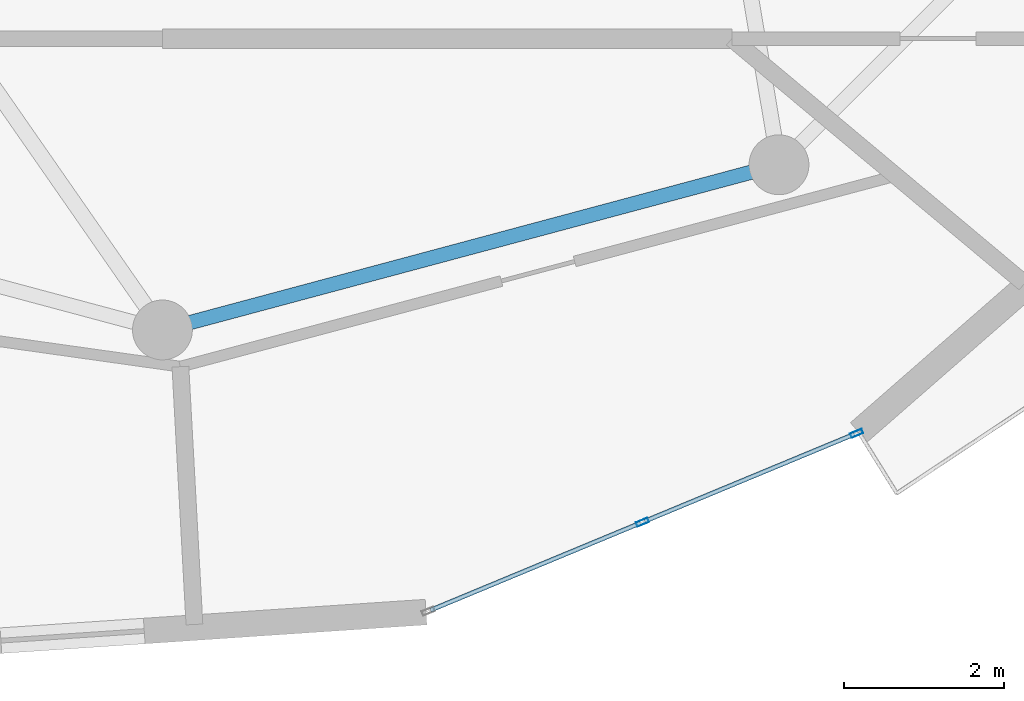
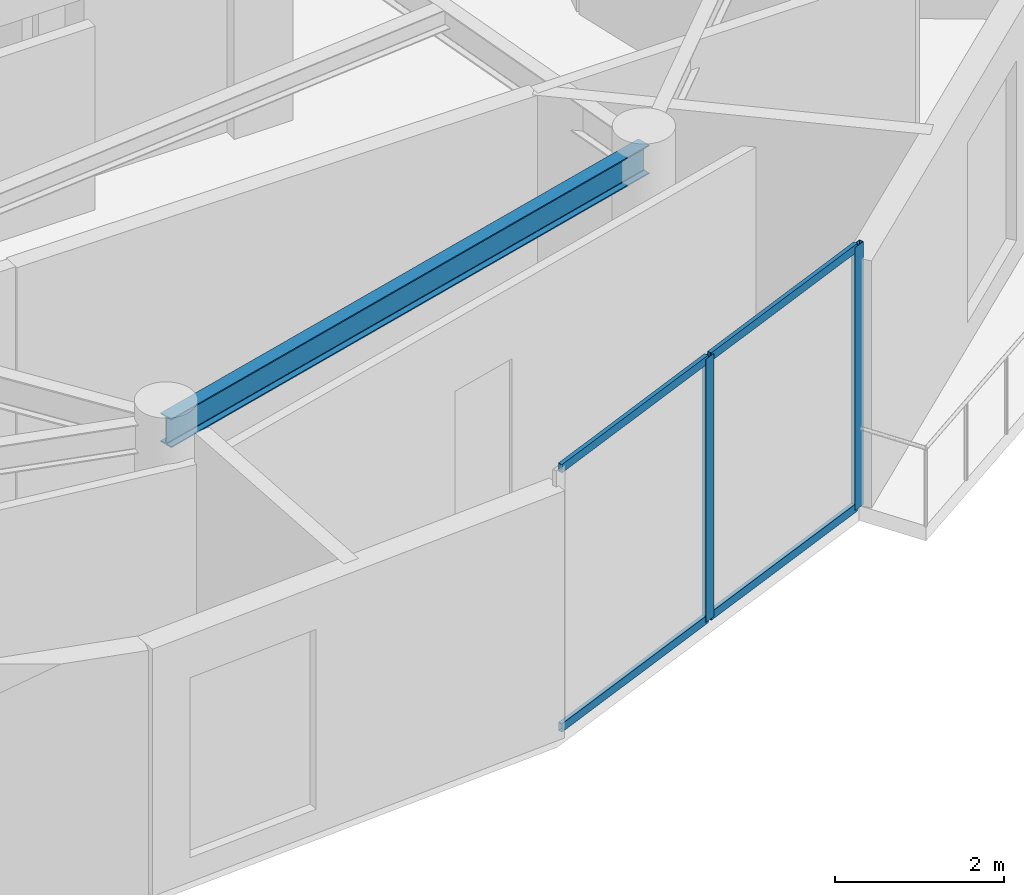
# One storey, part 6 of 22: 6 members, 1 beam, 1 element without a shape of its own.
"""IFC4 building model written with IfcOpenShell, lengths in metres."""

import ifcopenshell
import ifcopenshell.guid

model = None  # the IFC model being written
_history = None  # IfcOwnerHistory: only IFC2X3 demands one
_inside = {}  # id of a spatial element -> (the spatial element, [elements in it])
_under = {}  # id of a project, library or spatial element -> (it, [spatial elements below it])
_declared = {}  # id of a project -> (the project, [libraries it declares])
_typed = {}  # id of a type object -> (the type object, [elements of that type])
_made_of = {}  # id of a material, layer set ... -> (it, [elements and type objects made of it])


def new_model(schema):
    """Start an empty IFC model of exactly this schema.

    Asked for "IFC4X3", IfcOpenShell would pick the latest addendum, in which some entities
    have other attributes; the version numbers below select the first issue.
    IFC2X3 requires an IfcOwnerHistory on every rooted entity: one is made here for all.
    """
    global model, _history
    if schema == "IFC4X3":
        model = ifcopenshell.file(schema_version=(4, 3, 0, 0))
    else:
        model = ifcopenshell.file(schema=schema)
    _inside.clear()
    _under.clear()
    _declared.clear()
    _typed.clear()
    _made_of.clear()
    _history = None
    if model.schema == "IFC2X3":
        org = make("IfcOrganization", Name="unknown")
        user = make(
            "IfcPersonAndOrganization",
            ThePerson=make("IfcPerson", FamilyName="unknown"),
            TheOrganization=org,
        )
        app = make(
            "IfcApplication",
            ApplicationDeveloper=org,
            Version="unknown",
            ApplicationFullName="unknown",
            ApplicationIdentifier="unknown",
        )
        _history = make(
            "IfcOwnerHistory",
            OwningUser=user,
            OwningApplication=app,
            ChangeAction="ADDED",
            CreationDate=0,
        )
    return model


def make(cls, **values):
    """One entity of the class cls with the attributes given. An attribute that is None is left unset."""
    return model.create_entity(
        cls, **{name: value for name, value in values.items() if value is not None}
    )


def rooted(cls, **values):
    """An entity with a GlobalId (a new one), such as an element, a storey or a relation."""
    return make(cls, GlobalId=ifcopenshell.guid.new(), OwnerHistory=_history, **values)


def si_unit(unit_type, name, prefix=None):
    """IfcSIUnit, for example si_unit("LENGTHUNIT", "METRE", prefix="MILLI")."""
    return make("IfcSIUnit", UnitType=unit_type, Prefix=prefix, Name=name)


def assignment(units):
    """IfcUnitAssignment: the units of a project."""
    return None if units is None else make("IfcUnitAssignment", Units=units)


def point(xyz):
    """IfcCartesianPoint."""
    return None if xyz is None else make("IfcCartesianPoint", Coordinates=xyz)


def direction(xyz):
    """IfcDirection."""
    return None if xyz is None else make("IfcDirection", DirectionRatios=xyz)


def frame(location, z_axis=None, x_axis=None):
    """IfcAxis2Placement3D, a coordinate frame: its origin and axes. An axis left out is left unset."""
    return make(
        "IfcAxis2Placement3D",
        Location=point(location),
        Axis=direction(z_axis),
        RefDirection=direction(x_axis),
    )


def frame_2d(location, x_axis=None):
    """IfcAxis2Placement2D, a coordinate frame in the plane: its origin and x axis."""
    return make(
        "IfcAxis2Placement2D", Location=point(location), RefDirection=direction(x_axis)
    )


def origin():
    """The frame at (0, 0, 0) with its axes left unset."""
    return frame((0.0, 0.0, 0.0))


def origin_2d():
    """The frame at (0, 0) in the plane with its x axis left unset."""
    return frame_2d((0.0, 0.0))


def place(relative_to, where):
    """IfcLocalPlacement: puts the frame where relative to a parent placement (None: the world)."""
    return make(
        "IfcLocalPlacement", PlacementRelTo=relative_to, RelativePlacement=where
    )


def context(
    kind, dimensions, precision=None, world=None, true_north=None, identifier=None
):
    """IfcGeometricRepresentationContext, for example the 3D "Model" context."""
    return make(
        "IfcGeometricRepresentationContext",
        ContextIdentifier=identifier,
        ContextType=kind,
        CoordinateSpaceDimension=dimensions,
        Precision=precision,
        WorldCoordinateSystem=world,
        TrueNorth=true_north,
    )


def subcontext(parent, identifier, kind, view, scale=None):
    """IfcGeometricRepresentationSubContext, for example "Body" below "Model"."""
    return make(
        "IfcGeometricRepresentationSubContext",
        ContextIdentifier=identifier,
        ContextType=kind,
        ParentContext=parent,
        TargetScale=scale,
        TargetView=view,
    )


def project(units=None, contexts=None):
    """IfcProject with its units and contexts."""
    return rooted(
        "IfcProject",
        Name="project",
        RepresentationContexts=contexts,
        UnitsInContext=assignment(units),
    )


def spatial(cls, under=None, at=None, **own):
    """A site, building, storey or space (cls), placed at a placement, below another one or the project."""
    s = rooted(cls, ObjectPlacement=at, **own)
    if under is not None:
        _under.setdefault(under.id(), (under, []))[1].append(s)
    return s


def profile(cls, at=None, kind="AREA", **sizes):
    """A parametric profile (cls). Its sizes go by their IFC names, for example OverallWidth=200.0."""
    return make(cls, ProfileType=kind, Position=at, **sizes)


def hollow_rectangle(**sizes):
    """IfcRectangleHollowProfileDef."""
    return profile("IfcRectangleHollowProfileDef", **sizes)


def i_section(**sizes):
    """IfcIShapeProfileDef."""
    return profile("IfcIShapeProfileDef", **sizes)


def extrude(swept, where, along, depth):
    """IfcExtrudedAreaSolid: the profile swept, set in the frame where, extruded along a direction by depth."""
    return make(
        "IfcExtrudedAreaSolid",
        SweptArea=swept,
        Position=where,
        ExtrudedDirection=direction(along),
        Depth=depth,
    )


def shape(context_of_items, identifier, shape_type, items):
    """IfcShapeRepresentation: the items that make up one representation, for example the "Body"."""
    return make(
        "IfcShapeRepresentation",
        ContextOfItems=context_of_items,
        RepresentationIdentifier=identifier,
        RepresentationType=shape_type,
        Items=items,
    )


def source(mapping_origin, context_of_items, identifier, shape_type, items):
    """IfcRepresentationMap: a shape defined once, which mapped items show again and again."""
    return make(
        "IfcRepresentationMap",
        MappingOrigin=mapping_origin,
        MappedRepresentation=shape(context_of_items, identifier, shape_type, items),
    )


def transform(
    local_origin,
    x_axis=None,
    y_axis=None,
    z_axis=None,
    scale=None,
    scale2=None,
    scale3=None,
    uniform=True,
):
    """IfcCartesianTransformationOperator3D, or its non-uniform kind. x_axis, y_axis, z_axis: its Axis1, 2, 3."""
    if uniform:
        return make(
            "IfcCartesianTransformationOperator3D",
            Axis1=direction(x_axis),
            Axis2=direction(y_axis),
            LocalOrigin=point(local_origin),
            Scale=scale,
            Axis3=direction(z_axis),
        )
    return make(
        "IfcCartesianTransformationOperator3DnonUniform",
        Axis1=direction(x_axis),
        Axis2=direction(y_axis),
        LocalOrigin=point(local_origin),
        Scale=scale,
        Axis3=direction(z_axis),
        Scale2=scale2,
        Scale3=scale3,
    )


def mapped(mapping_source, mapping_target):
    """IfcMappedItem: shows the shape of a source again, moved by a transform."""
    return make(
        "IfcMappedItem", MappingSource=mapping_source, MappingTarget=mapping_target
    )


def material(Name=None, Category=None):
    """IfcMaterial."""
    return make("IfcMaterial", Name=Name, Category=Category)


def layer(
    of_material, thickness, ventilated=None, Name=None, Category=None, Priority=None
):
    """IfcMaterialLayer: one layer of a wall or slab, of a material (None: an air gap)."""
    return make(
        "IfcMaterialLayer",
        Material=of_material,
        LayerThickness=thickness,
        IsVentilated=ventilated,
        Name=Name,
        Category=Category,
        Priority=Priority,
    )


def layer_set(layers, Name=None):
    """IfcMaterialLayerSet."""
    return make("IfcMaterialLayerSet", MaterialLayers=layers, LayerSetName=Name)


def material_profile(
    of_material, cross_section, Name=None, Category=None, Priority=None
):
    """IfcMaterialProfile: a cross section and its material."""
    return make(
        "IfcMaterialProfile",
        Name=Name,
        Material=of_material,
        Profile=cross_section,
        Priority=Priority,
        Category=Category,
    )


def profile_set(profiles, Name=None, composite=None):
    """IfcMaterialProfileSet."""
    return make(
        "IfcMaterialProfileSet",
        Name=Name,
        MaterialProfiles=profiles,
        CompositeProfile=composite,
    )


def made_of(thing, what):
    """Note that an element or type object is made of a material, layer set ...; save() writes the relation."""
    if what is not None:
        _made_of.setdefault(what.id(), (what, []))[1].append(thing)
    return thing


def type_object(cls, material=None, **own):
    """A type object (cls), such as IfcWallType, which elements share."""
    return made_of(rooted(cls, **own), material)


def element(
    cls,
    number,
    at=None,
    inside=None,
    cuts=None,
    type_object=None,
    material=None,
    context=None,
    identifier="Body",
    shape_type=None,
    held_by="IfcProductDefinitionShape",
    body=None,
    shapes=None,
    **own,
):
    """One element of the class cls, such as IfcWall. Its Tag is "e" and its number.

    at: its placement. inside: the storey or other place that contains it. cuts: it is an
    opening in that element (IfcRelVoidsElement). A single representation is given by context,
    identifier, shape_type and body (its items); several are given by shapes. held_by: the class
    of the entity that holds the representations. save() writes the other relations.
    """
    e = rooted(cls, Tag="e%d" % number, ObjectPlacement=at, **own)
    if body is not None:
        shapes = [shape(context, identifier, shape_type, body)]
    if shapes is not None:
        e.Representation = make(held_by, Representations=shapes)
    if inside is not None:
        _inside.setdefault(inside.id(), (inside, []))[1].append(e)
    if cuts is not None:
        rooted(
            "IfcRelVoidsElement", RelatingBuildingElement=cuts, RelatedOpeningElement=e
        )
    if type_object is not None:
        _typed.setdefault(type_object.id(), (type_object, []))[1].append(e)
    return made_of(e, material)


def aggregate(whole, parts):
    """IfcRelAggregates: a whole, such as a stair, and the parts it consists of."""
    return rooted("IfcRelAggregates", RelatingObject=whole, RelatedObjects=parts)


def save(model, path):
    """Write the relations noted so far, then the file.

    IfcRelAggregates (storeys below a building ...), IfcRelContainedInSpatialStructure (elements
    in a storey), IfcRelDefinesByType, IfcRelAssociatesMaterial and IfcRelDeclares: one each for
    every whole, place, type object, material and project.
    """
    for whole, parts in _under.values():
        aggregate(whole, parts)
    for where, things in _inside.values():
        rooted(
            "IfcRelContainedInSpatialStructure",
            RelatedElements=things,
            RelatingStructure=where,
        )
    for kind, things in _typed.values():
        rooted("IfcRelDefinesByType", RelatedObjects=things, RelatingType=kind)
    for what, things in _made_of.values():
        rooted("IfcRelAssociatesMaterial", RelatedObjects=things, RelatingMaterial=what)
    for by, libraries in _declared.values():
        rooted("IfcRelDeclares", RelatingContext=by, RelatedDefinitions=libraries)
    model.write(path)


model = new_model("IFC4")

# Units and contexts
model_context = context("Model", 3, precision=1e-05, world=origin(), true_north=direction((0.0, 1.0)))
body_context = subcontext(model_context, "Body", "Model", "MODEL_VIEW")
ifc_project = project(units=[si_unit("LENGTHUNIT", "METRE"), si_unit("AREAUNIT", "SQUARE_METRE"), si_unit("VOLUMEUNIT", "CUBIC_METRE"), si_unit("PLANEANGLEUNIT", "RADIAN"), si_unit("MASSUNIT", "GRAM", prefix="KILO")], contexts=[model_context])

# Site, building, storey
site_placement = place(None, origin())
site = spatial("IfcSite", under=ifc_project, at=site_placement, CompositionType="ELEMENT")
building_placement = place(site_placement, origin())
building = spatial("IfcBuilding", under=site, at=building_placement, Name="Solvirekh Grand Hotel", CompositionType="ELEMENT")
storey_placement = place(building_placement, frame((0.0, 0.0, 243.0)))
storey = spatial("IfcBuildingStorey", under=building, at=storey_placement, Name="L63", CompositionType="ELEMENT", Elevation=243.0)

# Beam
ifc_material_1 = material(Name="Steel S355", Category="steel")
ifc_material_profile_1 = material_profile(ifc_material_1, i_section(OverallWidth=0.180908203125, OverallDepth=0.4169921875, WebThickness=0.010009765625, FlangeThickness=0.01611328125, FilletRadius=0.011962890625, at=origin_2d()), Name="W410X85")
ifc_profile_set_1 = profile_set([ifc_material_profile_1], Name="Steel S355")
beam_type = type_object("IfcBeamType", Name="Spandrel_Ring_W410", PredefinedType="SPANDREL", material=ifc_profile_set_1)
beam_placement = place(storey_placement, frame((0.0, -15.449951171875, 3.362060546875), z_axis=(0.965921616143, 0.258834757072, 0.0), x_axis=(-0.258834757072, 0.965921616143, 0.0)))
element("IfcBeam", 1, at=beam_placement, inside=storey, type_object=beam_type, Name="L63 perimeter spandrel beam 10", PredefinedType="SPANDREL", context=body_context, shape_type="SweptSolid", body=[
    extrude(i_section(OverallWidth=0.180908203125, OverallDepth=0.4169921875, WebThickness=0.010009765625, FlangeThickness=0.01611328125, FilletRadius=0.011962890625, at=origin_2d()), origin(), (0.0, 0.0, 1.0), 7.99755859375),
])

# Curtain wall, members
ifc_material_2 = material(Name="Anodized Bronze Aluminium 6063-T6", Category="aluminium")
ifc_layer = layer(ifc_material_2, 0.159912109375)
ifc_layer_set = layer_set([ifc_layer], Name="Anodized Bronze Aluminium 6063-T6")
curtain_wall_type = type_object("IfcCurtainWallType", Name="CW_Sys4_HighZoneFlushBronzeCW", PredefinedType="NOTDEFINED", material=ifc_layer_set)
curtain_wall_placement = place(storey_placement, origin())
curtain_wall = element("IfcCurtainWall", 2, at=curtain_wall_placement, inside=storey, type_object=curtain_wall_type, Name="L63 unitised bronze-glass curtain wall CW-L63-C01", PredefinedType="NOTDEFINED")
ifc_material_profile_2 = material_profile(ifc_material_2, hollow_rectangle(XDim=0.06005859375, YDim=0.159912109375, WallThickness=0.0048828125, at=origin_2d()), Name="ALU RHS 160X60X5")
ifc_profile_set_2 = profile_set([ifc_material_profile_2], Name="Anodized Bronze Aluminium 6063-T6")
member_type_1 = type_object("IfcMemberType", Name="CWMullion_Sys4", PredefinedType="MULLION", material=ifc_profile_set_2)
shared_shape_1 = source(origin(), body_context, "Body", "SweptSolid", [
    extrude(hollow_rectangle(XDim=0.06005859375, YDim=0.159912109375, WallThickness=0.0048828125, at=origin_2d()), origin(), (0.0, 0.0, 1.0), 3.800048828125),
])
member_1_placement = place(storey_placement, frame((6.014404296875, -17.85888671875, 0.0), z_axis=(0.0, 0.0, 1.0), x_axis=(-0.383514713871, 0.923534766126, 0.0)))
member_1 = element("IfcMember", 3, at=member_1_placement, type_object=member_type_1, Name="U04 mullion 2", PredefinedType="MULLION", context=body_context, shape_type="MappedRepresentation", body=[
    mapped(shared_shape_1, transform((0.0, 0.0, 0.0), x_axis=(1.0, 0.0, 0.0), y_axis=(0.0, 1.0, 0.0), z_axis=(0.0, 0.0, 1.0), scale=1.0)),
])
member_2_placement = place(storey_placement, frame((8.6982421875, -16.744384765625, 0.0), z_axis=(0.0, 0.0, 1.0), x_axis=(-0.383514713871, 0.923534766126, 0.0)))
member_2 = element("IfcMember", 4, at=member_2_placement, type_object=member_type_1, Name="U04 mullion 3", PredefinedType="MULLION", context=body_context, shape_type="MappedRepresentation", body=[
    mapped(shared_shape_1, transform((0.0, 0.0, 0.0), x_axis=(1.0, 0.0, 0.0), y_axis=(0.0, 1.0, 0.0), z_axis=(0.0, 0.0, 1.0), scale=1.0)),
])
ifc_material_profile_3 = material_profile(ifc_material_2, hollow_rectangle(XDim=0.054931640625, YDim=0.1201171875, WallThickness=0.00390625, at=origin_2d()), Name="ALU RHS 120X55X4")
ifc_profile_set_3 = profile_set([ifc_material_profile_3], Name="Anodized Bronze Aluminium 6063-T6")
member_type_2 = type_object("IfcMemberType", Name="CWTransom_Sys4", PredefinedType="USERDEFINED", material=ifc_profile_set_3)
shared_shape_2 = source(origin(), body_context, "Body", "SweptSolid", [
    extrude(hollow_rectangle(XDim=0.054931640625, YDim=0.1201171875, WallThickness=0.00390625, at=origin_2d()), origin(), (0.0, 0.0, 1.0), 2.845947265625),
])
member_3_placement = place(storey_placement, frame((3.3583984375, -18.9619140625, 0.027587890625), z_axis=(0.923558419422, 0.383457749844, 0.0), x_axis=(-0.383457749844, 0.923558419422, 0.0)))
member_3 = element("IfcMember", 5, at=member_3_placement, type_object=member_type_2, Name="U04 transom 1.1", ObjectType="TRANSOM", PredefinedType="USERDEFINED", context=body_context, shape_type="MappedRepresentation", body=[
    mapped(shared_shape_2, transform((0.0, 0.0, 0.0), x_axis=(1.0, 0.0, 0.0), y_axis=(0.0, 1.0, 0.0), z_axis=(0.0, 0.0, 1.0), scale=1.0)),
])
member_4_placement = place(storey_placement, frame((3.3583984375, -18.9619140625, 3.7724609375), z_axis=(0.923558419422, 0.383457749844, 0.0), x_axis=(-0.383457749844, 0.923558419422, 0.0)))
member_4 = element("IfcMember", 6, at=member_4_placement, type_object=member_type_2, Name="U04 transom 1.2", ObjectType="TRANSOM", PredefinedType="USERDEFINED", context=body_context, shape_type="MappedRepresentation", body=[
    mapped(shared_shape_2, transform((0.0, 0.0, 0.0), x_axis=(1.0, 0.0, 0.0), y_axis=(0.0, 1.0, 0.0), z_axis=(0.0, 0.0, 1.0), scale=1.0)),
])
member_5_placement = place(storey_placement, frame((6.042236328125, -17.847412109375, 0.027587890625), z_axis=(0.923558419422, 0.383457749844, 0.0), x_axis=(-0.383457749844, 0.923558419422, 0.0)))
member_5 = element("IfcMember", 7, at=member_5_placement, type_object=member_type_2, Name="U04 transom 2.1", ObjectType="TRANSOM", PredefinedType="USERDEFINED", context=body_context, shape_type="MappedRepresentation", body=[
    mapped(shared_shape_2, transform((0.0, 0.0, 0.0), x_axis=(1.0, 0.0, 0.0), y_axis=(0.0, 1.0, 0.0), z_axis=(0.0, 0.0, 1.0), scale=1.0)),
])
member_6_placement = place(storey_placement, frame((6.042236328125, -17.847412109375, 3.7724609375), z_axis=(0.923558419422, 0.383457749844, 0.0), x_axis=(-0.383457749844, 0.923558419422, 0.0)))
member_6 = element("IfcMember", 8, at=member_6_placement, type_object=member_type_2, Name="U04 transom 2.2", ObjectType="TRANSOM", PredefinedType="USERDEFINED", context=body_context, shape_type="MappedRepresentation", body=[
    mapped(shared_shape_2, transform((0.0, 0.0, 0.0), x_axis=(1.0, 0.0, 0.0), y_axis=(0.0, 1.0, 0.0), z_axis=(0.0, 0.0, 1.0), scale=1.0)),
])
aggregate(curtain_wall, [member_1, member_2, member_3, member_4, member_5, member_6])

save(model, "model.ifc")
